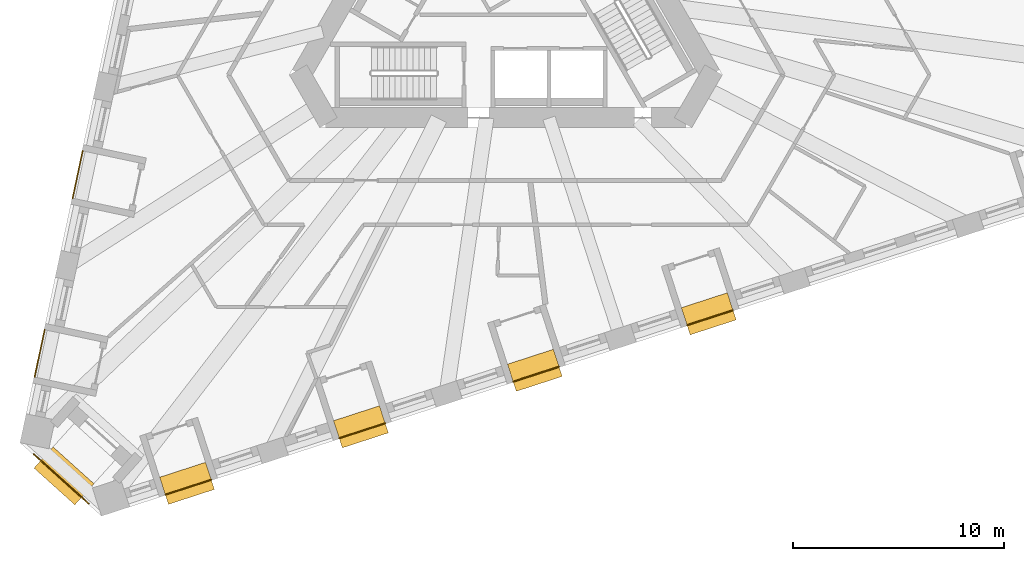
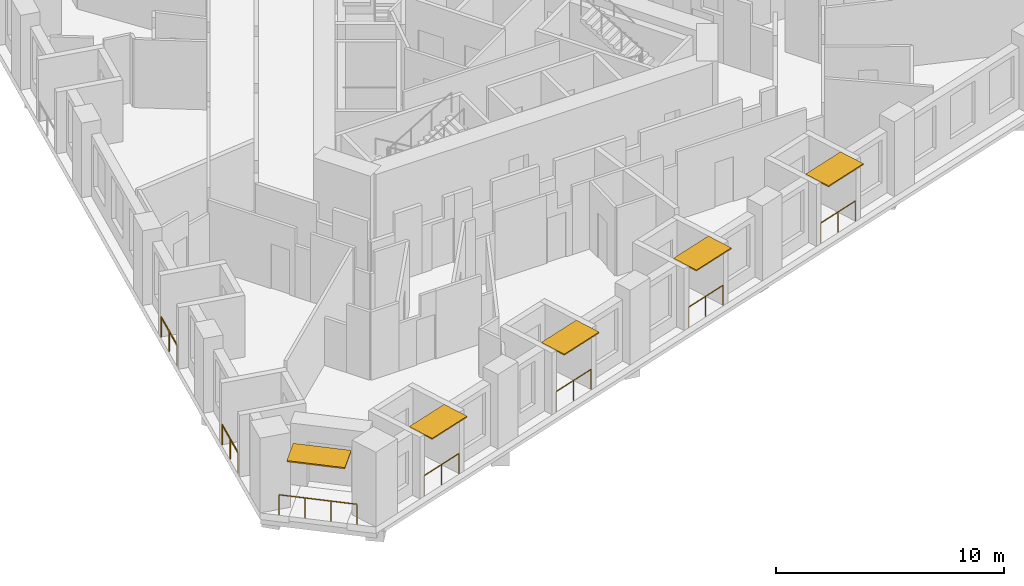
# One storey, part 11 of 13: 7 railings, 5 shading devices.
"""IFC4 building model written with IfcOpenShell, lengths in metres."""

from ifc_helpers import new_model, si_unit, direction, frame, origin, origin_2d, place, context, subcontext, project, spatial, rectangle, circle, extrude, material, layer, layer_set, type_object, element, save


model = new_model("IFC4")

# Units and contexts
model_context = context("Model", 3, precision=1e-05, world=origin(), true_north=direction((0.0, 1.0)))
body_context = subcontext(model_context, "Body", "Model", "MODEL_VIEW")
ifc_project = project(units=[si_unit("LENGTHUNIT", "METRE"), si_unit("AREAUNIT", "SQUARE_METRE"), si_unit("VOLUMEUNIT", "CUBIC_METRE"), si_unit("PLANEANGLEUNIT", "RADIAN"), si_unit("MASSUNIT", "GRAM", prefix="KILO")], contexts=[model_context])

# Site, building, storey
site_placement = place(None, origin())
site = spatial("IfcSite", under=ifc_project, at=site_placement, CompositionType="ELEMENT")
building_placement = place(site_placement, origin())
building = spatial("IfcBuilding", under=site, at=building_placement, Name="Tramontana Tower", CompositionType="ELEMENT")
storey_placement = place(building_placement, frame((0.0, 0.0, 104.39990234375)))
storey = spatial("IfcBuildingStorey", under=building, at=storey_placement, Name="L23", CompositionType="ELEMENT", Elevation=104.39990234375)

# Railings
ifc_material_1 = material(Name="Laminated glass balustrade", Category="glass")
railing_type = type_object("IfcRailingType", Name="GD1 Loggia glass balustrade 1100", PredefinedType="BALUSTRADE", material=ifc_material_1)
railing_1_placement = place(storey_placement, frame((-20.04052734375, -7.85205078125, 0.0)))
element("IfcRailing", 1, at=railing_1_placement, inside=storey, type_object=railing_type, Name="Loggia balustrade L23 G2S0.13", PredefinedType="BALUSTRADE", context=body_context, shape_type="SweptSolid", body=[
    extrude(circle(Radius=0.02392578125, at=origin_2d()), frame((0.0, 0.0, 1.076171875), z_axis=(-0.207888126836, -0.978152609116, 0.0), x_axis=(0.978152609116, -0.207888126836, 0.0)), (0.0, 0.0, 1.0), 2.28662109375),
    extrude(circle(Radius=0.02099609375, at=origin_2d()), origin(), (0.0, 0.0, 1.0), 1.052001953125),
    extrude(circle(Radius=0.02099609375, at=origin_2d()), frame((-0.23779296875, -1.1181640625, 0.0)), (0.0, 0.0, 1.0), 1.052001953125),
    extrude(circle(Radius=0.02099609375, at=origin_2d()), frame((-0.475341796875, -2.236572265625, 0.0)), (0.0, 0.0, 1.0), 1.052001953125),
])
railing_2_placement = place(storey_placement, frame((-21.841064453125, -16.322998046875, 0.0)))
element("IfcRailing", 2, at=railing_2_placement, inside=storey, type_object=railing_type, Name="Loggia balustrade L23 G2S0.16", PredefinedType="BALUSTRADE", context=body_context, shape_type="SweptSolid", body=[
    extrude(circle(Radius=0.02392578125, at=origin_2d()), frame((0.0, 0.0, 1.076171875), z_axis=(-0.207866417042, -0.978157222877, 0.0), x_axis=(0.978157222877, -0.207866417042, 0.0)), (0.0, 0.0, 1.0), 2.286865234375),
    extrude(circle(Radius=0.02099609375, at=origin_2d()), origin(), (0.0, 0.0, 1.0), 1.052001953125),
    extrude(circle(Radius=0.02099609375, at=origin_2d()), frame((-0.23779296875, -1.118408203125, 0.0)), (0.0, 0.0, 1.0), 1.052001953125),
    extrude(circle(Radius=0.02099609375, at=origin_2d()), frame((-0.475341796875, -2.23681640625, 0.0)), (0.0, 0.0, 1.0), 1.052001953125),
])
railing_3_placement = place(storey_placement, frame((-16.125244140625, -24.13427734375, 0.0)))
element("IfcRailing", 3, at=railing_3_placement, inside=storey, type_object=railing_type, Name="Loggia balustrade L23 G2S1.1", PredefinedType="BALUSTRADE", context=body_context, shape_type="SweptSolid", body=[
    extrude(circle(Radius=0.02392578125, at=origin_2d()), frame((0.0, 0.0, 1.076171875), z_axis=(0.95103720697, 0.309076416051, 0.0), x_axis=(-0.309076416051, 0.95103720697, 0.0)), (0.0, 0.0, 1.0), 2.286865234375),
    extrude(circle(Radius=0.02099609375, at=origin_2d()), origin(), (0.0, 0.0, 1.0), 1.052001953125),
    extrude(circle(Radius=0.02099609375, at=origin_2d()), frame((1.08740234375, 0.353515625, 0.0)), (0.0, 0.0, 1.0), 1.052001953125),
    extrude(circle(Radius=0.02099609375, at=origin_2d()), frame((2.1748046875, 0.706787109375, 0.0)), (0.0, 0.0, 1.0), 1.052001953125),
])
railing_4_placement = place(storey_placement, frame((-7.888916015625, -21.4580078125, 0.0)))
element("IfcRailing", 4, at=railing_4_placement, inside=storey, type_object=railing_type, Name="Loggia balustrade L23 G2S1.4", PredefinedType="BALUSTRADE", context=body_context, shape_type="SweptSolid", body=[
    extrude(circle(Radius=0.02392578125, at=origin_2d()), frame((0.0, 0.0, 1.076171875), z_axis=(0.951068585107, 0.308979847923, 0.0), x_axis=(-0.308979847923, 0.951068585107, 0.0)), (0.0, 0.0, 1.0), 2.28662109375),
    extrude(circle(Radius=0.02099609375, at=origin_2d()), origin(), (0.0, 0.0, 1.0), 1.052001953125),
    extrude(circle(Radius=0.02099609375, at=origin_2d()), frame((1.08740234375, 0.353271484375, 0.0)), (0.0, 0.0, 1.0), 1.052001953125),
    extrude(circle(Radius=0.02099609375, at=origin_2d()), frame((2.1748046875, 0.70654296875, 0.0)), (0.0, 0.0, 1.0), 1.052001953125),
])
railing_5_placement = place(storey_placement, frame((0.347412109375, -18.781982421875, 0.0)))
element("IfcRailing", 5, at=railing_5_placement, inside=storey, type_object=railing_type, Name="Loggia balustrade L23 G2S1.7", PredefinedType="BALUSTRADE", context=body_context, shape_type="SweptSolid", body=[
    extrude(circle(Radius=0.02392578125, at=origin_2d()), frame((0.0, 0.0, 1.076171875), z_axis=(0.95103720697, 0.309076416051, 0.0), x_axis=(-0.309076416051, 0.95103720697, 0.0)), (0.0, 0.0, 1.0), 2.286865234375),
    extrude(circle(Radius=0.02099609375, at=origin_2d()), origin(), (0.0, 0.0, 1.0), 1.052001953125),
    extrude(circle(Radius=0.02099609375, at=origin_2d()), frame((1.08740234375, 0.353515625, 0.0)), (0.0, 0.0, 1.0), 1.052001953125),
    extrude(circle(Radius=0.02099609375, at=origin_2d()), frame((2.1748046875, 0.706787109375, 0.0)), (0.0, 0.0, 1.0), 1.052001953125),
])
railing_6_placement = place(storey_placement, frame((8.583740234375, -16.105712890625, 0.0)))
element("IfcRailing", 6, at=railing_6_placement, inside=storey, type_object=railing_type, Name="Loggia balustrade L23 G2S1.10", PredefinedType="BALUSTRADE", context=body_context, shape_type="SweptSolid", body=[
    extrude(circle(Radius=0.02392578125, at=origin_2d()), frame((0.0, 0.0, 1.076171875), z_axis=(0.951068585107, 0.308979847923, 0.0), x_axis=(-0.308979847923, 0.951068585107, 0.0)), (0.0, 0.0, 1.0), 2.28662109375),
    extrude(circle(Radius=0.02099609375, at=origin_2d()), origin(), (0.0, 0.0, 1.0), 1.052001953125),
    extrude(circle(Radius=0.02099609375, at=origin_2d()), frame((1.08740234375, 0.353271484375, 0.0)), (0.0, 0.0, 1.0), 1.052001953125),
    extrude(circle(Radius=0.02099609375, at=origin_2d()), frame((2.1748046875, 0.70654296875, 0.0)), (0.0, 0.0, 1.0), 1.052001953125),
])
railing_7_placement = place(storey_placement, frame((-19.757080078125, -24.557861328125, 0.0)))
element("IfcRailing", 7, at=railing_7_placement, inside=storey, type_object=railing_type, Name="Corner loggia balustrade L23 K21", PredefinedType="BALUSTRADE", context=body_context, shape_type="SweptSolid", body=[
    extrude(circle(Radius=0.02392578125, at=origin_2d()), frame((0.0, 0.0, 1.076171875), z_axis=(-0.743141519559, 0.669134277936, 0.0), x_axis=(-0.669134277936, -0.743141519559, 0.0)), (0.0, 0.0, 1.0), 3.5),
    extrude(circle(Radius=0.02099609375, at=origin_2d()), origin(), (0.0, 0.0, 1.0), 1.052001953125),
    extrude(circle(Radius=0.02099609375, at=origin_2d()), frame((-0.866943359375, 0.78076171875, 0.0)), (0.0, 0.0, 1.0), 1.052001953125),
    extrude(circle(Radius=0.02099609375, at=origin_2d()), frame((-1.734130859375, 1.561279296875, 0.0)), (0.0, 0.0, 1.0), 1.052001953125),
    extrude(circle(Radius=0.02099609375, at=origin_2d()), frame((-2.60107421875, 2.342041015625, 0.0)), (0.0, 0.0, 1.0), 1.052001953125),
])

# Shading devices
ifc_material_2 = material(Name="Precast concrete 60 MPa", Category="concrete")
ifc_layer_1 = layer(ifc_material_2, 0.06005859375)
ifc_layer_set_1 = layer_set([ifc_layer_1], Name="SS1 Stone sunshade blade 60")
shading_device_type_1 = type_object("IfcShadingDeviceType", Name="SS1 Stone sunshade blade 60", PredefinedType="USERDEFINED", material=ifc_layer_set_1)
for number, where, z_axis, x_axis, name in (
    (8, (-15.09814453125, -23.595458984375, 3.239990234375), (0.0, 0.0, 1.0), (0.951056516295, 0.309016994375, 0.0), "Sunshade L23 G2S1.1"),
    (9, (-6.86181640625, -20.919189453125, 3.239990234375), (0.0, 0.0, 1.0), (0.951056516295, 0.309016994375, 0.0), "Sunshade L23 G2S1.4"),
    (10, (1.37451171875, -18.2431640625, 3.239990234375), (0.0, 0.0, 1.0), (0.951056516295, 0.309016994375, 0.0), "Sunshade L23 G2S1.7"),
    (11, (9.611083984375, -15.56689453125, 3.239990234375), (0.0, 0.0, 1.0), (0.951056516295, 0.309016994375, 0.0), "Sunshade L23 G2S1.10"),
):
    element("IfcShadingDevice", number, at=place(storey_placement, frame(where, z_axis=z_axis, x_axis=x_axis)), inside=storey, type_object=shading_device_type_1, Name=name, ObjectType="SUNSHADE", PredefinedType="USERDEFINED", context=body_context, shape_type="SweptSolid", body=[
        extrude(rectangle(XDim=2.286865234375, YDim=1.35009765625, at=origin_2d()), origin(), (0.0, 0.0, 1.0), 0.06005859375),
    ])
ifc_material_3 = material(Name="Precast concrete 60 MPa", Category="concrete")
ifc_layer_2 = layer(ifc_material_3, 0.070068359375)
ifc_layer_set_2 = layer_set([ifc_layer_2], Name="SS2 Stone sunshade blade 70")
shading_device_type_2 = type_object("IfcShadingDeviceType", Name="SS2 Stone sunshade blade 70", PredefinedType="USERDEFINED", material=ifc_layer_set_2)
shading_device_placement = place(storey_placement, frame((-20.927001953125, -23.241943359375, 3.22998046875), z_axis=(0.0, 0.0, 1.0), x_axis=(-0.743144825477, 0.669130606359, 0.0)))
element("IfcShadingDevice", 12, at=shading_device_placement, inside=storey, type_object=shading_device_type_2, Name="Corner sunshade L23 K21", ObjectType="SUNSHADE", PredefinedType="USERDEFINED", context=body_context, shape_type="SweptSolid", body=[
    extrude(rectangle(XDim=2.60009765625, YDim=1.35009765625, at=origin_2d()), origin(), (0.0, 0.0, 1.0), 0.070068359375),
])

save(model, "model.ifc")
